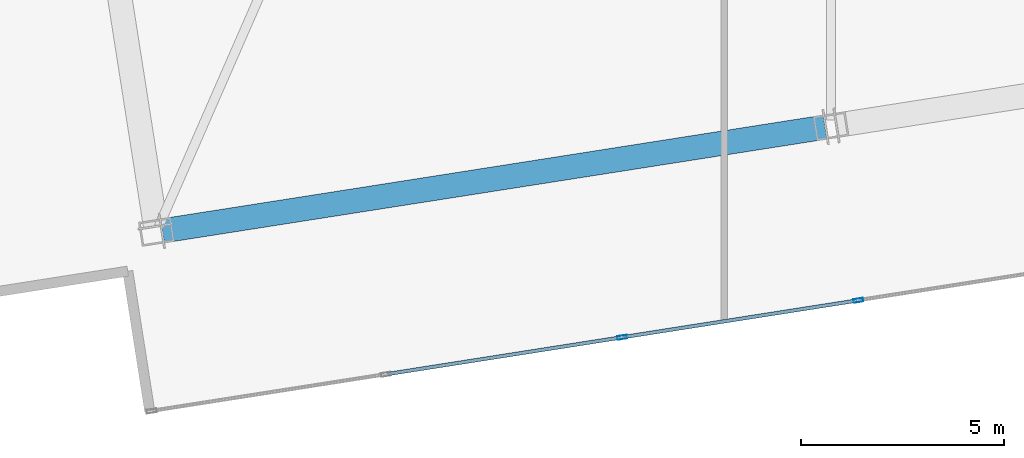
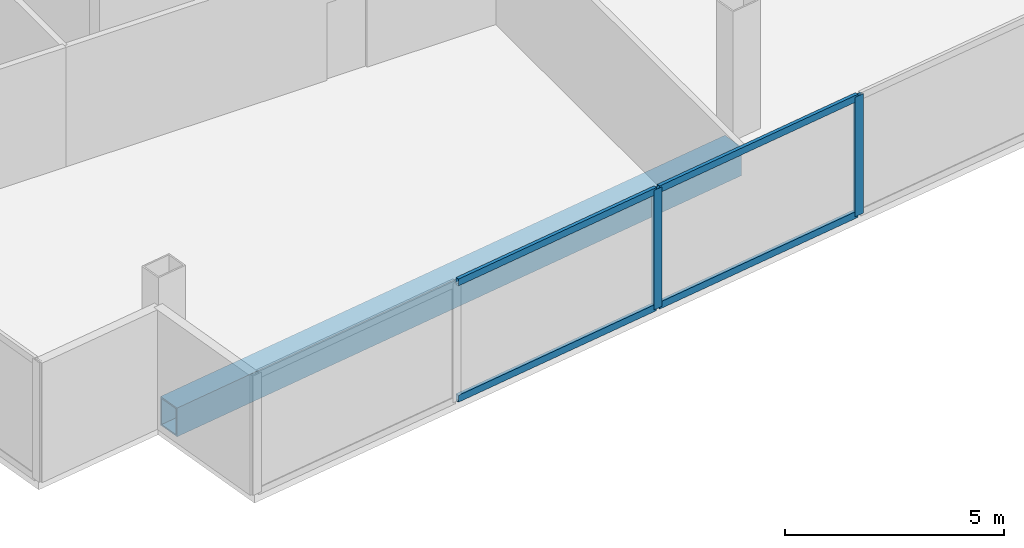
# One storey, part 3 of 17: 6 members, 1 beam, 1 element without a shape of its own.
"""IFC4 building model written with IfcOpenShell, lengths in metres."""

from ifc_helpers import new_model, si_unit, direction, frame, origin, origin_2d, place, context, subcontext, project, spatial, hollow_rectangle, extrude, material, material_profile, profile_set, type_object, element, aggregate, save


model = new_model("IFC4")

# Units and contexts
model_context = context("Model", 3, precision=1e-05, world=origin(), true_north=direction((0.0, 1.0)))
body_context = subcontext(model_context, "Body", "Model", "MODEL_VIEW")
ifc_project = project(units=[si_unit("LENGTHUNIT", "METRE"), si_unit("AREAUNIT", "SQUARE_METRE"), si_unit("VOLUMEUNIT", "CUBIC_METRE"), si_unit("PLANEANGLEUNIT", "RADIAN"), si_unit("MASSUNIT", "GRAM", prefix="KILO")], contexts=[model_context])

# Site, building, storey
site_placement = place(None, origin())
site = spatial("IfcSite", under=ifc_project, at=site_placement, CompositionType="ELEMENT")
building_placement = place(site_placement, origin())
building = spatial("IfcBuilding", under=site, at=building_placement, Name="Haldenkirk Collegiate Tower", CompositionType="ELEMENT")
storey_placement = place(building_placement, frame((0.0, 0.0, 367.800048828125)))
storey = spatial("IfcBuildingStorey", under=building, at=storey_placement, Name="L93", CompositionType="ELEMENT", Elevation=367.800048828125)

# Beam
ifc_material_1 = material(Name="Steel ASTM A572 Grade 50", Category="steel")
ifc_material_profile_1 = material_profile(ifc_material_1, hollow_rectangle(XDim=0.60009765625, YDim=0.800048828125, WallThickness=0.0400390625, at=origin_2d()), Name="BOX800X600X40")
ifc_profile_set_1 = profile_set([ifc_material_profile_1], Name="Steel ASTM A572 Grade 50")
beam_type = type_object("IfcBeamType", Name="BM-SPANDREL-BOX800X600X40", PredefinedType="SPANDREL", material=ifc_profile_set_1)
beam_placement = place(storey_placement, frame((22.138916015625, 6.571533203125, -0.670166015625), z_axis=(0.987958818005, 0.154717077036, 0.0), x_axis=(-0.154717077036, 0.987958818005, 0.0)))
element("IfcBeam", 1, at=beam_placement, inside=storey, type_object=beam_type, Name="L93 Crown Ring Frame perimeter girder 7", PredefinedType="SPANDREL", context=body_context, shape_type="SweptSolid", body=[
    extrude(hollow_rectangle(XDim=0.60009765625, YDim=0.800048828125, WallThickness=0.0400390625, at=origin_2d()), origin(), (0.0, 0.0, 1.0), 16.5498046875),
])

# Curtain wall, members
ifc_material_2 = material(Name="Anodised architectural bronze aluminium", Category="aluminium")
curtain_wall_type = type_object("IfcCurtainWallType", Name="CW-SYS6-CROWN", PredefinedType="USERDEFINED", material=ifc_material_2)
curtain_wall_placement = place(storey_placement, origin())
curtain_wall = element("IfcCurtainWall", 2, at=curtain_wall_placement, inside=storey, type_object=curtain_wall_type, Name="L93 Closed crown ring ceramic-fritted bronze screen curtain wall", ObjectType="UNITISED CURTAIN WALL", PredefinedType="USERDEFINED")
ifc_material_profile_2 = material_profile(ifc_material_2, hollow_rectangle(XDim=0.090087890625, YDim=0.239990234375, WallThickness=0.0048828125, at=origin_2d()), Name="CW-MUL-06")
ifc_profile_set_2 = profile_set([ifc_material_profile_2], Name="Anodised architectural bronze aluminium")
member_type_1 = type_object("IfcMemberType", Name="CW-MUL-06", PredefinedType="MULLION", material=ifc_profile_set_2)
member_1_placement = place(storey_placement, frame((39.310791015625, 4.857666015625, 0.0), z_axis=(0.0, 0.0, 1.0), x_axis=(0.154708982189, -0.987960085646, 0.0)))
member_1 = element("IfcMember", 3, at=member_1_placement, type_object=member_type_1, Name="CW-06 mullion 4", PredefinedType="MULLION", context=body_context, shape_type="SweptSolid", body=[
    extrude(hollow_rectangle(XDim=0.090087890625, YDim=0.239990234375, WallThickness=0.0048828125, at=origin_2d()), origin(), (0.0, 0.0, 1.0), 3.329833984375),
])
member_2_placement = place(storey_placement, frame((33.48193359375, 3.94482421875, 0.0), z_axis=(0.0, 0.0, 1.0), x_axis=(0.154708982189, -0.987960085646, 0.0)))
member_2 = element("IfcMember", 4, at=member_2_placement, type_object=member_type_1, Name="CW-06 mullion 5", PredefinedType="MULLION", context=body_context, shape_type="SweptSolid", body=[
    extrude(hollow_rectangle(XDim=0.090087890625, YDim=0.239990234375, WallThickness=0.0048828125, at=origin_2d()), origin(), (0.0, 0.0, 1.0), 3.329833984375),
])
ifc_material_profile_3 = material_profile(ifc_material_2, hollow_rectangle(XDim=0.090087890625, YDim=0.18994140625, WallThickness=0.0048828125, at=origin_2d()), Name="CW-TRN-06")
ifc_profile_set_3 = profile_set([ifc_material_profile_3], Name="Anodised architectural bronze aluminium")
member_type_2 = type_object("IfcMemberType", Name="CW-TRN-06", PredefinedType="USERDEFINED", material=ifc_profile_set_3)
member_3_placement = place(storey_placement, frame((39.266357421875, 4.8505859375, 0.044921875), z_axis=(-0.987964517712, -0.154680676692, 0.0), x_axis=(0.154680676692, -0.987964517712, 0.0)))
member_3 = element("IfcMember", 5, at=member_3_placement, type_object=member_type_2, Name="CW-06 transom 4.1", ObjectType="TRANSOM", PredefinedType="USERDEFINED", context=body_context, shape_type="SweptSolid", body=[
    extrude(hollow_rectangle(XDim=0.090087890625, YDim=0.18994140625, WallThickness=0.0048828125, at=origin_2d()), origin(), (0.0, 0.0, 1.0), 5.809814453125),
])
member_4_placement = place(storey_placement, frame((39.266357421875, 4.8505859375, 3.284912109375), z_axis=(-0.987964517712, -0.154680676692, 0.0), x_axis=(0.154680676692, -0.987964517712, 0.0)))
member_4 = element("IfcMember", 6, at=member_4_placement, type_object=member_type_2, Name="CW-06 transom 4.2", ObjectType="TRANSOM", PredefinedType="USERDEFINED", context=body_context, shape_type="SweptSolid", body=[
    extrude(hollow_rectangle(XDim=0.090087890625, YDim=0.18994140625, WallThickness=0.0048828125, at=origin_2d()), origin(), (0.0, 0.0, 1.0), 5.809814453125),
])
member_5_placement = place(storey_placement, frame((33.437255859375, 3.93798828125, 0.044921875), z_axis=(-0.987958095237, -0.154721692257, 0.0), x_axis=(0.154721692257, -0.987958095237, 0.0)))
member_5 = element("IfcMember", 7, at=member_5_placement, type_object=member_type_2, Name="CW-06 transom 5.1", ObjectType="TRANSOM", PredefinedType="USERDEFINED", context=body_context, shape_type="SweptSolid", body=[
    extrude(hollow_rectangle(XDim=0.090087890625, YDim=0.18994140625, WallThickness=0.0048828125, at=origin_2d()), origin(), (0.0, 0.0, 1.0), 5.81005859375),
])
member_6_placement = place(storey_placement, frame((33.437255859375, 3.93798828125, 3.284912109375), z_axis=(-0.987958095237, -0.154721692257, 0.0), x_axis=(0.154721692257, -0.987958095237, 0.0)))
member_6 = element("IfcMember", 8, at=member_6_placement, type_object=member_type_2, Name="CW-06 transom 5.2", ObjectType="TRANSOM", PredefinedType="USERDEFINED", context=body_context, shape_type="SweptSolid", body=[
    extrude(hollow_rectangle(XDim=0.090087890625, YDim=0.18994140625, WallThickness=0.0048828125, at=origin_2d()), origin(), (0.0, 0.0, 1.0), 5.81005859375),
])
aggregate(curtain_wall, [member_1, member_2, member_3, member_4, member_5, member_6])

save(model, "model.ifc")
